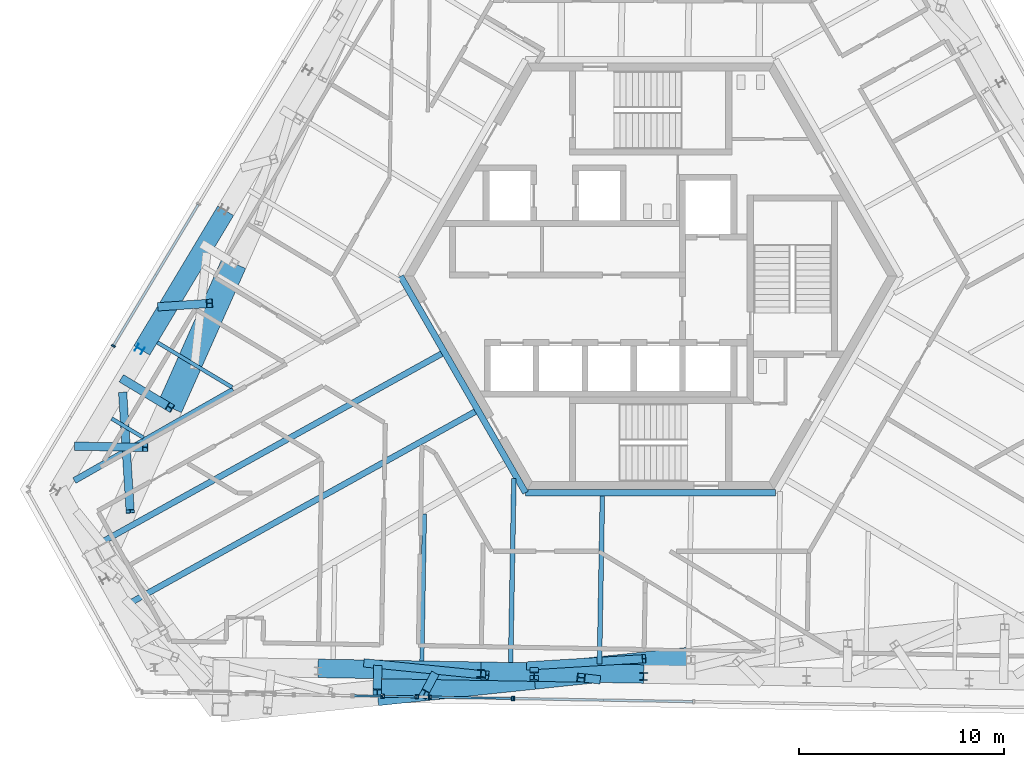
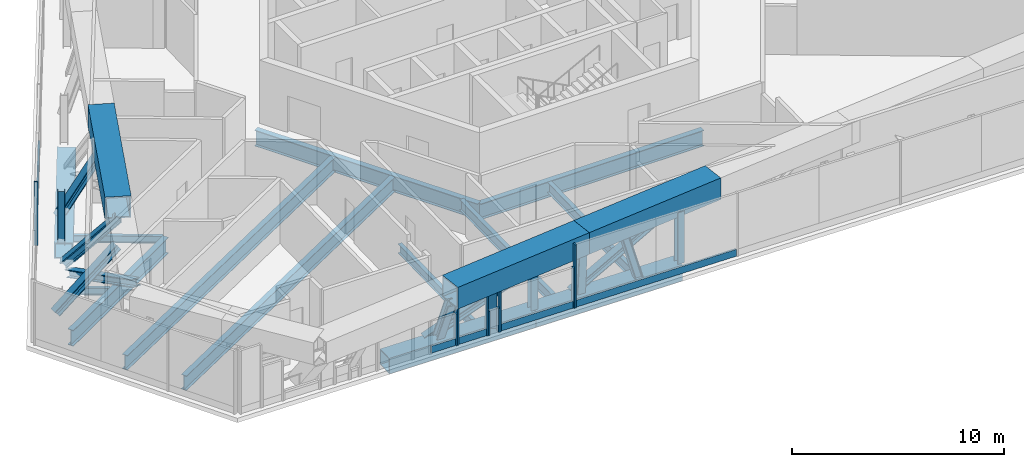
# One storey, part 2 of 28: 33 members, 10 beams, 6 elements without a shape of their own.
"""IFC4 building model written with IfcOpenShell, lengths in metres."""

from ifc_helpers import new_model, si_unit, direction, frame, origin, origin_2d, place, context, subcontext, project, spatial, rectangle, hollow_rectangle, i_section, extrude, source, transform, mapped, material, material_profile, profile_set, type_object, element, aggregate, save


model = new_model("IFC4")

# Units and contexts
model_context = context("Model", 3, precision=1e-05, world=origin(), true_north=direction((0.0, 1.0)))
body_context = subcontext(model_context, "Body", "Model", "MODEL_VIEW")
ifc_project = project(units=[si_unit("LENGTHUNIT", "METRE"), si_unit("AREAUNIT", "SQUARE_METRE"), si_unit("VOLUMEUNIT", "CUBIC_METRE"), si_unit("PLANEANGLEUNIT", "RADIAN"), si_unit("MASSUNIT", "GRAM", prefix="KILO")], contexts=[model_context])

# Site, building, storey
site_placement = place(None, origin())
site = spatial("IfcSite", under=ifc_project, at=site_placement, CompositionType="ELEMENT")
building_placement = place(site_placement, origin())
building = spatial("IfcBuilding", under=site, at=building_placement, Name="Triune Harvest Tower", CompositionType="ELEMENT")
storey_placement = place(building_placement, frame((0.0, 0.0, 215.89990234375)))
storey = spatial("IfcBuildingStorey", under=building, at=storey_placement, Name="L56", CompositionType="ELEMENT", Elevation=215.89990234375)

# Beam
ifc_material_1 = material(Name="Steel ASTM A992 Gr 50", Category="steel")
ifc_material_profile_1 = material_profile(ifc_material_1, i_section(OverallWidth=0.307373046875, OverallDepth=0.922119140625, WebThickness=0.018310546875, FlangeThickness=0.030029296875, at=origin_2d()), Name="W36x182")
ifc_profile_set_1 = profile_set([ifc_material_profile_1], Name="Steel ASTM A992 Gr 50")
beam_type_1 = type_object("IfcBeamType", Name="HG-2 Hip girder W36x182", PredefinedType="BEAM", material=ifc_profile_set_1)
beam_1_placement = place(storey_placement, frame((-28.05859375, -9.95263671875, -0.7109375), z_axis=(0.869271874388, 0.494334308336, 0.0), x_axis=(-0.494334308336, 0.869271874388, 0.0)))
element("IfcBeam", 1, at=beam_1_placement, inside=storey, type_object=beam_type_1, Name="beam/L56/HG5", PredefinedType="BEAM", context=body_context, shape_type="SweptSolid", body=[
    extrude(i_section(OverallWidth=0.307373046875, OverallDepth=0.922119140625, WebThickness=0.018310546875, FlangeThickness=0.030029296875, at=origin_2d()), origin(), (0.0, 0.0, 1.0), 8.906982421875),
])

# Members
ifc_material_2 = material(Name="Steel ASTM A992 Gr 50", Category="steel")
ifc_material_profile_2 = material_profile(ifc_material_2, i_section(OverallWidth=0.40380859375, OverallDepth=0.406494140625, WebThickness=0.027099609375, FlangeThickness=0.043701171875, at=origin_2d()), Name="W14x233")
ifc_profile_set_2 = profile_set([ifc_material_profile_2], Name="Steel ASTM A992 Gr 50")
member_type_1 = type_object("IfcMemberType", Name="TD-3 Belt truss diagonal W14x233", PredefinedType="BRACE", material=ifc_profile_set_2)
member_1_placement = place(storey_placement, frame((-23.84375, -1.481689453125, -0.324951171875), z_axis=(0.650996051153, 0.043462530906, 0.757835833008), x_axis=(-0.066614828692, 0.997778765358, 0.0)))
element("IfcMember", 2, at=member_1_placement, inside=storey, type_object=member_type_1, Name="truss/L56/TD26", PredefinedType="BRACE", context=body_context, shape_type="SweptSolid", body=[
    extrude(i_section(OverallWidth=0.40380859375, OverallDepth=0.406494140625, WebThickness=0.027099609375, FlangeThickness=0.043701171875, at=origin_2d()), origin(), (0.0, 0.0, 1.0), 3.628662109375),
])
member_2_placement = place(storey_placement, frame((-2.64697265625, -19.631591796875, -0.324951171875), z_axis=(-0.259889258637, 0.029733456231, 0.965180550377), x_axis=(-0.113666690427, -0.993518939672, 0.0)))
element("IfcMember", 3, at=member_2_placement, inside=storey, type_object=member_type_1, Name="truss/L56/TD38", PredefinedType="BRACE", context=body_context, shape_type="SweptSolid", body=[
    extrude(i_section(OverallWidth=0.40380859375, OverallDepth=0.406494140625, WebThickness=0.027099609375, FlangeThickness=0.043701171875, at=origin_2d()), origin(), (0.0, 0.0, 1.0), 2.84912109375),
])

# Curtain wall, member
ifc_material_3 = material(Name="Aluminium bronze anodised", Category="aluminium")
curtain_wall_type = type_object("IfcCurtainWallType", Name="CW-5 Plant louvre wall", PredefinedType="NOTDEFINED", material=ifc_material_3)
curtain_wall_1_placement = place(storey_placement, origin())
curtain_wall_1 = element("IfcCurtainWall", 4, at=curtain_wall_1_placement, inside=storey, type_object=curtain_wall_type, Name="CW-5 B5-F5 L56 run 901")
ifc_material_4 = material(Name="Aluminium bronze anodised", Category="aluminium")
ifc_material_profile_3 = material_profile(ifc_material_4, rectangle(XDim=0.10009765625, YDim=0.39990234375, at=origin_2d()), Name="TR-5 transom 100 x 400")
ifc_profile_set_3 = profile_set([ifc_material_profile_3], Name="Aluminium bronze anodised")
member_type_2 = type_object("IfcMemberType", Name="TR-5 transom 100 x 400", PredefinedType="USERDEFINED", material=ifc_profile_set_3)
member_3_placement = place(storey_placement, frame((-14.436767578125, -20.42822265625, 0.2001953125), z_axis=(0.999846371425, -0.017528078872, 0.0), x_axis=(0.017528078872, 0.999846371425, 0.0)))
member_3 = element("IfcMember", 5, at=member_3_placement, type_object=member_type_2, Name="CW-5 transom B5-F5 901.1", ObjectType="TRANSOM", PredefinedType="USERDEFINED", context=body_context, shape_type="SweptSolid", body=[
    extrude(rectangle(XDim=0.10009765625, YDim=0.39990234375, at=origin_2d()), origin(), (0.0, 0.0, 1.0), 1.309326171875),
])

curtain_wall_2_placement = place(storey_placement, origin())
curtain_wall_2 = element("IfcCurtainWall", 6, at=curtain_wall_2_placement, inside=storey, type_object=curtain_wall_type, Name="CW-5 B5-F5 L56 run 1201")
member_4_placement = place(storey_placement, frame((-10.673095703125, -20.493896484375, 0.2001953125), z_axis=(0.999847296182, -0.01747524874, 0.0), x_axis=(0.01747524874, 0.999847296182, 0.0)))
member_4 = element("IfcMember", 7, at=member_4_placement, type_object=member_type_2, Name="CW-5 transom B5-F5 1201.1", ObjectType="TRANSOM", PredefinedType="USERDEFINED", context=body_context, shape_type="SweptSolid", body=[
    extrude(rectangle(XDim=0.10009765625, YDim=0.39990234375, at=origin_2d()), origin(), (0.0, 0.0, 1.0), 3.897705078125),
])

curtain_wall_3_placement = place(storey_placement, origin())
curtain_wall_3 = element("IfcCurtainWall", 8, at=curtain_wall_3_placement, inside=storey, type_object=curtain_wall_type, Name="CW-5 B5-F5 L56 run 1301")
member_5_placement = place(storey_placement, frame((-6.615966796875, -20.564697265625, 0.2001953125), z_axis=(0.999847731364, -0.017450331985, 0.0), x_axis=(0.017450331985, 0.999847731364, 0.0)))
member_5 = element("IfcMember", 9, at=member_5_placement, type_object=member_type_2, Name="CW-5 transom B5-F5 1301.1", ObjectType="TRANSOM", PredefinedType="USERDEFINED", context=body_context, shape_type="SweptSolid", body=[
    extrude(rectangle(XDim=0.10009765625, YDim=0.39990234375, at=origin_2d()), origin(), (0.0, 0.0, 1.0), 8.674072265625),
])

# Beams
ifc_material_5 = material(Name="Steel ASTM A992 Gr 50", Category="steel")
ifc_material_profile_4 = material_profile(ifc_material_5, i_section(OverallWidth=0.3046875, OverallDepth=0.914306640625, WebThickness=0.0166015625, FlangeThickness=0.02587890625, at=origin_2d()), Name="W36x160")
ifc_profile_set_4 = profile_set([ifc_material_profile_4], Name="Steel ASTM A992 Gr 50")
beam_type_2 = type_object("IfcBeamType", Name="CG-1 Core ring girder W36x160", PredefinedType="BEAM", material=ifc_profile_set_4)
shared_shape_1 = source(origin(), body_context, "Body", "SweptSolid", [
    extrude(i_section(OverallWidth=0.3046875, OverallDepth=0.914306640625, WebThickness=0.0166015625, FlangeThickness=0.02587890625, at=origin_2d()), origin(), (0.0, 0.0, 1.0), 12.176025390625),
])
beam_2_placement = place(storey_placement, frame((-12.176025390625, 0.0, -0.70703125), z_axis=(0.5000099932, -0.866019634131, 0.0), x_axis=(0.866019634131, 0.5000099932, 0.0)))
element("IfcBeam", 10, at=beam_2_placement, inside=storey, type_object=beam_type_2, Name="beam/L56/CG4", PredefinedType="BEAM", context=body_context, shape_type="MappedRepresentation", body=[
    mapped(shared_shape_1, transform((0.0, 0.0, 0.0), scale=1.0)),
])
shared_shape_2 = source(origin(), body_context, "Body", "SweptSolid", [
    extrude(i_section(OverallWidth=0.3046875, OverallDepth=0.914306640625, WebThickness=0.0166015625, FlangeThickness=0.02587890625, at=origin_2d()), origin(), (0.0, 0.0, 1.0), 12.17578125),
])
beam_3_placement = place(storey_placement, frame((-6.087890625, -10.544677734375, -0.70703125), z_axis=(1.0, 0.0, 0.0), x_axis=(0.0, 1.0, 0.0)))
element("IfcBeam", 11, at=beam_3_placement, inside=storey, type_object=beam_type_2, Name="beam/L56/CG5", PredefinedType="BEAM", context=body_context, shape_type="MappedRepresentation", body=[
    mapped(shared_shape_2, transform((0.0, 0.0, 0.0), scale=1.0)),
])
ifc_material_6 = material(Name="Steel ASTM A992 Gr 50", Category="steel")
ifc_material_profile_5 = material_profile(ifc_material_6, i_section(OverallWidth=0.2099609375, OverallDepth=0.535888671875, WebThickness=0.010986328125, FlangeThickness=0.017333984375, at=origin_2d()), Name="W21x68")
ifc_profile_set_5 = profile_set([ifc_material_profile_5], Name="Steel ASTM A992 Gr 50")
beam_type_3 = type_object("IfcBeamType", Name="JT-2 Floor joist W21x68", PredefinedType="JOIST", material=ifc_profile_set_5)
shared_shape_3 = source(origin(), body_context, "Body", "SweptSolid", [
    extrude(i_section(OverallWidth=0.2099609375, OverallDepth=0.535888671875, WebThickness=0.010986328125, FlangeThickness=0.017333984375, at=origin_2d()), origin(), (0.0, 0.0, 1.0), 7.1650390625),
])
beam_4_placement = place(storey_placement, frame((-11.138427734375, -18.7333984375, -0.517822265625), z_axis=(0.017445545298, 0.999847814894, 0.0), x_axis=(-0.999847814894, 0.017445545298, 0.0)))
element("IfcBeam", 12, at=beam_4_placement, inside=storey, type_object=beam_type_3, Name="beam/L56/JT27", PredefinedType="JOIST", context=body_context, shape_type="MappedRepresentation", body=[
    mapped(shared_shape_3, transform((0.0, 0.0, 0.0), scale=1.0)),
])
ifc_material_7 = material(Name="Steel ASTM A992 Gr 50", Category="steel")
ifc_material_profile_6 = material_profile(ifc_material_7, i_section(OverallWidth=0.22900390625, OverallDepth=0.612060546875, WebThickness=0.011962890625, FlangeThickness=0.01953125, at=origin_2d()), Name="W24x84")
ifc_profile_set_6 = profile_set([ifc_material_profile_6], Name="Steel ASTM A992 Gr 50")
beam_type_4 = type_object("IfcBeamType", Name="JT-3 Floor joist W24x84", PredefinedType="JOIST", material=ifc_profile_set_6)
shared_shape_4 = source(origin(), body_context, "Body", "SweptSolid", [
    extrude(i_section(OverallWidth=0.22900390625, OverallDepth=0.612060546875, WebThickness=0.011962890625, FlangeThickness=0.01953125, at=origin_2d()), origin(), (0.0, 0.0, 1.0), 8.94970703125),
])
beam_5_placement = place(storey_placement, frame((-6.815185546875, -18.808837890625, -0.555908203125), z_axis=(0.017458868621, 0.999847582338, 0.0), x_axis=(-0.999847582338, 0.017458868621, 0.0)))
element("IfcBeam", 13, at=beam_5_placement, inside=storey, type_object=beam_type_4, Name="beam/L56/JT28", PredefinedType="JOIST", context=body_context, shape_type="MappedRepresentation", body=[
    mapped(shared_shape_4, transform((0.0, 0.0, 0.0), scale=1.0)),
])
shared_shape_5 = source(origin(), body_context, "Body", "SweptSolid", [
    extrude(i_section(OverallWidth=0.22900390625, OverallDepth=0.612060546875, WebThickness=0.011962890625, FlangeThickness=0.01953125, at=origin_2d()), origin(), (0.0, 0.0, 1.0), 8.1884765625),
])
beam_6_placement = place(storey_placement, frame((-2.491943359375, -18.88427734375, -0.555908203125), z_axis=(0.017441807361, 0.999847880108, 0.0), x_axis=(-0.999847880108, 0.017441807361, 0.0)))
element("IfcBeam", 14, at=beam_6_placement, inside=storey, type_object=beam_type_4, Name="beam/L56/JT29", PredefinedType="JOIST", context=body_context, shape_type="MappedRepresentation", body=[
    mapped(shared_shape_5, transform((0.0, 0.0, 0.0), scale=1.0)),
])
ifc_material_8 = material(Name="Steel ASTM A992 Gr 50", Category="steel")
ifc_material_profile_7 = material_profile(ifc_material_8, i_section(OverallWidth=0.180908203125, OverallDepth=0.41650390625, WebThickness=0.010986328125, FlangeThickness=0.01806640625, at=origin_2d()), Name="W16x57")
ifc_profile_set_7 = profile_set([ifc_material_profile_7], Name="Steel ASTM A992 Gr 50")
beam_type_5 = type_object("IfcBeamType", Name="JT-1 Floor joist W16x57", PredefinedType="JOIST", material=ifc_profile_set_7)
shared_shape_6 = source(origin(), body_context, "Body", "SweptSolid", [
    extrude(i_section(OverallWidth=0.180908203125, OverallDepth=0.41650390625, WebThickness=0.010986328125, FlangeThickness=0.01806640625, at=origin_2d()), origin(), (0.0, 0.0, 1.0), 1.807373046875),
])
beam_7_placement = place(storey_placement, frame((-26.243408203125, -6.931396484375, -0.458251953125), z_axis=(0.857170967294, -0.515031972627, 0.0), x_axis=(0.515031972627, 0.857170967294, 0.0)))
element("IfcBeam", 15, at=beam_7_placement, inside=storey, type_object=beam_type_5, Name="beam/L56/JT22", PredefinedType="JOIST", context=body_context, shape_type="MappedRepresentation", body=[
    mapped(shared_shape_6, transform((0.0, 0.0, 0.0), scale=1.0)),
])
ifc_material_9 = material(Name="Steel ASTM A992 Gr 50", Category="steel")
ifc_material_profile_8 = material_profile(ifc_material_9, i_section(OverallWidth=0.2919921875, OverallDepth=0.8408203125, WebThickness=0.0146484375, FlangeThickness=0.021728515625, at=origin_2d()), Name="W33x130")
ifc_profile_set_8 = profile_set([ifc_material_profile_8], Name="Steel ASTM A992 Gr 50")
beam_type_6 = type_object("IfcBeamType", Name="JT-6 Floor joist W33x130", PredefinedType="JOIST", material=ifc_profile_set_8)
shared_shape_7 = source(origin(), body_context, "Body", "SweptSolid", [
    extrude(i_section(OverallWidth=0.2919921875, OverallDepth=0.8408203125, WebThickness=0.0146484375, FlangeThickness=0.021728515625, at=origin_2d()), origin(), (0.0, 0.0, 1.0), 19.10595703125),
])
beam_8_placement = place(storey_placement, frame((-26.882568359375, -13.0380859375, -0.67041015625), z_axis=(0.87462099309, 0.484807300322, 0.0), x_axis=(-0.484807300322, 0.87462099309, 0.0)))
element("IfcBeam", 16, at=beam_8_placement, inside=storey, type_object=beam_type_6, Name="beam/L56/JT23", PredefinedType="JOIST", context=body_context, shape_type="MappedRepresentation", body=[
    mapped(shared_shape_7, transform((0.0, 0.0, 0.0), scale=1.0)),
])
shared_shape_8 = source(origin(), body_context, "Body", "SweptSolid", [
    extrude(i_section(OverallWidth=0.180908203125, OverallDepth=0.41650390625, WebThickness=0.010986328125, FlangeThickness=0.01806640625, at=origin_2d()), origin(), (0.0, 0.0, 1.0), 4.241455078125),
])
beam_9_placement = place(storey_placement, frame((-24.016357421875, -3.22509765625, -0.458251953125), z_axis=(0.857152446461, -0.515062795711, 0.0), x_axis=(0.515062795711, 0.857152446461, 0.0)))
element("IfcBeam", 17, at=beam_9_placement, inside=storey, type_object=beam_type_5, Name="beam/L56/JT21", PredefinedType="JOIST", context=body_context, shape_type="MappedRepresentation", body=[
    mapped(shared_shape_8, transform((0.0, 0.0, 0.0), scale=1.0)),
])
shared_shape_9 = source(origin(), body_context, "Body", "SweptSolid", [
    extrude(i_section(OverallWidth=0.2919921875, OverallDepth=0.8408203125, WebThickness=0.0146484375, FlangeThickness=0.021728515625, at=origin_2d()), origin(), (0.0, 0.0, 1.0), 19.16259765625),
])
beam_10_placement = place(storey_placement, frame((-25.302490234375, -15.888427734375, -0.67041015625), z_axis=(0.874618421796, 0.484811939061, 0.0), x_axis=(-0.484811939061, 0.874618421796, 0.0)))
element("IfcBeam", 18, at=beam_10_placement, inside=storey, type_object=beam_type_6, Name="beam/L56/JT24", PredefinedType="JOIST", context=body_context, shape_type="MappedRepresentation", body=[
    mapped(shared_shape_9, transform((0.0, 0.0, 0.0), scale=1.0)),
])

# Members
ifc_material_10 = material(Name="Steel ASTM A992 Gr 50", Category="steel")
ifc_material_profile_9 = material_profile(ifc_material_10, i_section(OverallWidth=0.370849609375, OverallDepth=0.36328125, WebThickness=0.013427734375, FlangeThickness=0.021728515625, at=origin_2d()), Name="W14x109")
ifc_profile_set_9 = profile_set([ifc_material_profile_9], Name="Steel ASTM A992 Gr 50")
member_type_3 = type_object("IfcMemberType", Name="WP-5 Roof edge post W14x109", PredefinedType="POST", material=ifc_profile_set_9)
shared_shape_10 = source(origin(), body_context, "Body", "SweptSolid", [
    extrude(i_section(OverallWidth=0.370849609375, OverallDepth=0.36328125, WebThickness=0.013427734375, FlangeThickness=0.021728515625, at=origin_2d()), origin(), (0.0, 0.0, 1.0), 2.9755859375),
])
for number, where, z_axis, x_axis, name in (
    (19, (-24.876220703125, -3.54931640625, -0.25), (0.0, 0.0, 1.0), (-0.51503657887, -0.857168199612, 0.0), "post/L56/W13"),
    (20, (-8.266357421875, -19.353515625, -0.25), (0.0, 0.0, 1.0), (0.999847695156, -0.017452406437, 0.0), "post/L56/W18"),
    (21, (-0.34033203125, -19.491943359375, -0.25), (0.0, 0.0, 1.0), (0.999847695156, -0.017452406437, 0.0), "post/L56/W19"),
):
    element("IfcMember", number, at=place(storey_placement, frame(where, z_axis=z_axis, x_axis=x_axis)), inside=storey, type_object=member_type_3, Name=name, PredefinedType="POST", context=body_context, shape_type="MappedRepresentation", body=[
        mapped(shared_shape_10, transform((0.0, 0.0, 0.0), scale=1.0)),
    ])
ifc_material_11 = material(Name="Steel ASTM A572 Gr 50", Category="steel")
ifc_material_profile_10 = material_profile(ifc_material_11, hollow_rectangle(XDim=0.89990234375, YDim=0.89990234375, WallThickness=0.050048828125, at=origin_2d()), Name="Box 900x900x50")
ifc_profile_set_10 = profile_set([ifc_material_profile_10], Name="Steel ASTM A572 Gr 50")
member_type_4 = type_object("IfcMemberType", Name="TC-2 Belt truss chord Box 900x900x50", PredefinedType="CHORD", material=ifc_profile_set_10)
shared_shape_11 = source(origin(), body_context, "Body", "SweptSolid", [
    extrude(hollow_rectangle(XDim=0.89990234375, YDim=0.89990234375, WallThickness=0.050048828125, at=origin_2d()), origin(), (0.0, 0.0, 1.0), 7.92724609375),
])
for number, where, z_axis, x_axis, name in (
    (22, (-20.6904296875, 3.183837890625, -0.699951171875), (-0.515034618449, -0.857169377544, 0.0), (0.857169377544, -0.515034618449, 0.0), "truss/L56/TCB13"),
    (23, (-16.190185546875, -19.09521484375, -0.699951171875), (0.999847522428, -0.017462299252, 0.0), (0.017462299252, 0.999847522428, 0.0), "truss/L56/TCB18"),
    (24, (-8.26416015625, -19.233642578125, -0.699951171875), (0.999847522428, -0.017462299252, 0.0), (0.017462299252, 0.999847522428, 0.0), "truss/L56/TCB19"),
):
    element("IfcMember", number, at=place(storey_placement, frame(where, z_axis=z_axis, x_axis=x_axis)), inside=storey, type_object=member_type_4, Name=name, PredefinedType="CHORD", context=body_context, shape_type="MappedRepresentation", body=[
        mapped(shared_shape_11, transform((0.0, 0.0, 0.0), scale=1.0)),
    ])
ifc_material_12 = material(Name="Steel ASTM A572 Gr 50", Category="steel")
ifc_material_profile_11 = material_profile(ifc_material_12, hollow_rectangle(XDim=1.25, YDim=1.25, WallThickness=0.070068359375, at=origin_2d()), Name="Box 1250x1250x70")
ifc_profile_set_11 = profile_set([ifc_material_profile_11], Name="Steel ASTM A572 Gr 50")
member_type_5 = type_object("IfcMemberType", Name="TC-1 Belt truss chord Box 1250x1250x70", PredefinedType="CHORD", material=ifc_profile_set_11)
shared_shape_12 = source(origin(), body_context, "Body", "SweptSolid", [
    extrude(hollow_rectangle(XDim=1.25, YDim=1.25, WallThickness=0.070068359375, at=origin_2d()), origin(), (0.0, 0.0, 1.0), 7.679443359375),
])
for number, where, z_axis, x_axis, name in (
    (25, (-20.287109375, 0.626220703125, 3.01513671875), (-0.406734215399, -0.91354653851, 0.0), (0.91354653851, -0.406734215399, 0.0), "truss/L56/TCT13"),
    (26, (-5.673583984375, -19.48779296875, 3.01513671875), (0.994521815363, 0.104529224464, 0.0), (-0.104529224464, 0.994521815363, 0.0), "truss/L56/TCT19"),
):
    element("IfcMember", number, at=place(storey_placement, frame(where, z_axis=z_axis, x_axis=x_axis)), inside=storey, type_object=member_type_5, Name=name, PredefinedType="CHORD", context=body_context, shape_type="MappedRepresentation", body=[
        mapped(shared_shape_12, transform((0.0, 0.0, 0.0), scale=1.0)),
    ])
shared_shape_13 = source(origin(), body_context, "Body", "SweptSolid", [
    extrude(hollow_rectangle(XDim=1.25, YDim=1.25, WallThickness=0.070068359375, at=origin_2d()), origin(), (0.0, 0.0, 1.0), 7.67919921875),
])
member_6_placement = place(storey_placement, frame((-13.310791015625, -20.29052734375, 3.01513671875), z_axis=(0.994521467985, 0.104532529465, 0.0), x_axis=(-0.104532529465, 0.994521467985, 0.0)))
element("IfcMember", 27, at=member_6_placement, inside=storey, type_object=member_type_5, Name="truss/L56/TCT18", PredefinedType="CHORD", context=body_context, shape_type="MappedRepresentation", body=[
    mapped(shared_shape_13, transform((0.0, 0.0, 0.0), scale=1.0)),
])
ifc_material_13 = material(Name="Steel ASTM A992 Gr 50", Category="steel")
ifc_material_profile_12 = material_profile(ifc_material_13, i_section(OverallWidth=0.411376953125, OverallDepth=0.434326171875, WebThickness=0.035888671875, FlangeThickness=0.057373046875, at=origin_2d()), Name="W14x311")
ifc_profile_set_12 = profile_set([ifc_material_profile_12], Name="Steel ASTM A992 Gr 50")
member_type_6 = type_object("IfcMemberType", Name="TV-1 Belt truss strut W14x311", PredefinedType="STRUT", material=ifc_profile_set_12)
shared_shape_14 = source(origin(), body_context, "Body", "SweptSolid", [
    extrude(i_section(OverallWidth=0.411376953125, OverallDepth=0.434326171875, WebThickness=0.035888671875, FlangeThickness=0.057373046875, at=origin_2d()), origin(), (0.0, 0.0, 1.0), 2.9326171875),
])
member_7_placement = place(storey_placement, frame((-13.290771484375, -19.14599609375, -0.27490234375), z_axis=(-0.006826568214, -0.390279899854, 0.920670949762), x_axis=(0.999847059374, -0.017488792421, 0.0)))
element("IfcMember", 28, at=member_7_placement, inside=storey, type_object=member_type_6, Name="truss/L56/TS18", PredefinedType="STRUT", context=body_context, shape_type="MappedRepresentation", body=[
    mapped(shared_shape_14, transform((0.0, 0.0, 0.0), scale=1.0)),
])
shared_shape_15 = source(origin(), body_context, "Body", "SweptSolid", [
    extrude(i_section(OverallWidth=0.411376953125, OverallDepth=0.434326171875, WebThickness=0.035888671875, FlangeThickness=0.057373046875, at=origin_2d()), origin(), (0.0, 0.0, 1.0), 2.7080078125),
])
member_8_placement = place(storey_placement, frame((-5.669921875, -19.27880859375, -0.27490234375), z_axis=(-0.00135231513, -0.07717211676, 0.997016868282), x_axis=(0.999846501199, -0.017520674671, 0.0)))
element("IfcMember", 29, at=member_8_placement, inside=storey, type_object=member_type_6, Name="truss/L56/TS19", PredefinedType="STRUT", context=body_context, shape_type="MappedRepresentation", body=[
    mapped(shared_shape_15, transform((0.0, 0.0, 0.0), scale=1.0)),
])
shared_shape_16 = source(origin(), body_context, "Body", "SweptSolid", [
    extrude(i_section(OverallWidth=0.411376953125, OverallDepth=0.434326171875, WebThickness=0.035888671875, FlangeThickness=0.057373046875, at=origin_2d()), origin(), (0.0, 0.0, 1.0), 3.74755859375),
])
member_9_placement = place(storey_placement, frame((-25.63818359375, -5.05078125, -0.27490234375), z_axis=(0.594410454421, -0.357206545549, 0.720471856142), x_axis=(0.515089683535, 0.857136288997, 0.0)))
element("IfcMember", 30, at=member_9_placement, inside=storey, type_object=member_type_6, Name="truss/L56/TS14", PredefinedType="STRUT", context=body_context, shape_type="MappedRepresentation", body=[
    mapped(shared_shape_16, transform((0.0, 0.0, 0.0), scale=1.0)),
])
shared_shape_17 = source(origin(), body_context, "Body", "SweptSolid", [
    extrude(i_section(OverallWidth=0.40380859375, OverallDepth=0.406494140625, WebThickness=0.027099609375, FlangeThickness=0.043701171875, at=origin_2d()), origin(), (0.0, 0.0, 1.0), 6.556396484375),
])
member_10_placement = place(storey_placement, frame((-13.881591796875, -18.83544921875, -0.324951171875), z_axis=(0.903262234042, -0.090486343271, 0.41943957638), x_axis=(0.099678356666, 0.995019710967, 0.0)))
element("IfcMember", 31, at=member_10_placement, inside=storey, type_object=member_type_1, Name="truss/L56/TD35", PredefinedType="BRACE", context=body_context, shape_type="MappedRepresentation", body=[
    mapped(shared_shape_17, transform((0.0, 0.0, 0.0), scale=1.0)),
])
shared_shape_18 = source(origin(), body_context, "Body", "SweptSolid", [
    extrude(i_section(OverallWidth=0.40380859375, OverallDepth=0.406494140625, WebThickness=0.027099609375, FlangeThickness=0.043701171875, at=origin_2d()), origin(), (0.0, 0.0, 1.0), 2.91552734375),
])
member_11_placement = place(storey_placement, frame((-10.572998046875, -19.493408203125, -0.324951171875), z_axis=(-0.155003737433, -0.293678069787, 0.943253429736), x_axis=(0.884376078012, -0.466775055717, 0.0)))
element("IfcMember", 32, at=member_11_placement, inside=storey, type_object=member_type_1, Name="truss/L56/TD36", PredefinedType="BRACE", context=body_context, shape_type="MappedRepresentation", body=[
    mapped(shared_shape_18, transform((0.0, 0.0, 0.0), scale=1.0)),
])
shared_shape_19 = source(origin(), body_context, "Body", "SweptSolid", [
    extrude(i_section(OverallWidth=0.40380859375, OverallDepth=0.406494140625, WebThickness=0.027099609375, FlangeThickness=0.043701171875, at=origin_2d()), origin(), (0.0, 0.0, 1.0), 6.351806640625),
])
member_12_placement = place(storey_placement, frame((-25.70263671875, -5.740478515625, -0.324951171875), z_axis=(0.057078373943, -0.899608984606, 0.432950036428), x_axis=(0.997993233711, 0.063320655931, 0.0)))
element("IfcMember", 33, at=member_12_placement, inside=storey, type_object=member_type_1, Name="truss/L56/TD27", PredefinedType="BRACE", context=body_context, shape_type="MappedRepresentation", body=[
    mapped(shared_shape_19, transform((0.0, 0.0, 0.0), scale=1.0)),
])
shared_shape_20 = source(origin(), body_context, "Body", "SweptSolid", [
    extrude(i_section(OverallWidth=0.40380859375, OverallDepth=0.406494140625, WebThickness=0.027099609375, FlangeThickness=0.043701171875, at=origin_2d()), origin(), (0.0, 0.0, 1.0), 4.312744140625),
])
member_13_placement = place(storey_placement, frame((-27.926513671875, -8.27685546875, -0.324951171875), z_axis=(0.770183000357, -0.014492234332, 0.637658310622), x_axis=(0.018813281274, 0.999823014562, 0.0)))
element("IfcMember", 34, at=member_13_placement, inside=storey, type_object=member_type_1, Name="truss/L56/TD28", PredefinedType="BRACE", context=body_context, shape_type="MappedRepresentation", body=[
    mapped(shared_shape_20, transform((0.0, 0.0, 0.0), scale=1.0)),
])
shared_shape_21 = source(origin(), body_context, "Body", "SweptSolid", [
    extrude(i_section(OverallWidth=0.40380859375, OverallDepth=0.406494140625, WebThickness=0.027099609375, FlangeThickness=0.043701171875, at=origin_2d()), origin(), (0.0, 0.0, 1.0), 6.278564453125),
])
member_14_placement = place(storey_placement, frame((-5.95556640625, -18.973876953125, -0.324951171875), z_axis=(0.897266496661, 0.055410823737, 0.437998258652), x_axis=(-0.061637724273, 0.998098587789, 0.0)))
element("IfcMember", 35, at=member_14_placement, inside=storey, type_object=member_type_1, Name="truss/L56/TD37", PredefinedType="BRACE", context=body_context, shape_type="MappedRepresentation", body=[
    mapped(shared_shape_21, transform((0.0, 0.0, 0.0), scale=1.0)),
])

# Curtain wall, member
curtain_wall_4_placement = place(storey_placement, origin())
curtain_wall_4 = element("IfcCurtainWall", 36, at=curtain_wall_4_placement, inside=storey, type_object=curtain_wall_type, Name="CW-5 B5-F3 L56 run 1201")
ifc_material_14 = material(Name="Aluminium bronze anodised", Category="aluminium")
ifc_material_profile_13 = material_profile(ifc_material_14, rectangle(XDim=0.199951171875, YDim=0.080078125, at=origin_2d()), Name="MU-5 mullion 80 x 200")
ifc_profile_set_13 = profile_set([ifc_material_profile_13], Name="Aluminium bronze anodised")
member_type_7 = type_object("IfcMemberType", Name="MU-5 mullion 80 x 200", PredefinedType="MULLION", material=ifc_profile_set_13)
shared_shape_22 = source(origin(), body_context, "Body", "SweptSolid", [
    extrude(rectangle(XDim=0.199951171875, YDim=0.080078125, at=origin_2d()), origin(), (0.0, 0.0, 1.0), 3.64013671875),
])
member_15_placement = place(storey_placement, frame((-26.1611328125, -3.392822265625, 0.0), z_axis=(0.0, 0.0, 1.0), x_axis=(0.857169585878, -0.515034271719, 0.0)))
member_15 = element("IfcMember", 37, at=member_15_placement, type_object=member_type_7, Name="CW-5 mullion B5-F3 1201.7", PredefinedType="MULLION", context=body_context, shape_type="MappedRepresentation", body=[
    mapped(shared_shape_22, transform((0.0, 0.0, 0.0), scale=1.0)),
])

# Member
member_16_placement = place(storey_placement, frame((-6.656005859375, -20.564208984375, 0.0), z_axis=(0.0, 0.0, 1.0), x_axis=(0.017449877038, 0.999847739304, 0.0)))
member_16 = element("IfcMember", 38, at=member_16_placement, type_object=member_type_7, Name="CW-5 mullion B5-F5 1301.1", PredefinedType="MULLION", context=body_context, shape_type="MappedRepresentation", body=[
    mapped(shared_shape_22, transform((0.0, 0.0, 0.0), scale=1.0)),
])

aggregate(curtain_wall_3, [member_16, member_5])

# Curtain wall, members
curtain_wall_5_placement = place(storey_placement, origin())
curtain_wall_5 = element("IfcCurtainWall", 39, at=curtain_wall_5_placement, inside=storey, type_object=curtain_wall_type, Name="CW-5 B5-F5 L56 run 1001")
shared_shape_23 = source(origin(), body_context, "Body", "SweptSolid", [
    extrude(rectangle(XDim=0.199951171875, YDim=0.080078125, at=origin_2d()), origin(), (0.0, 0.0, 1.0), 2.330078125),
])
member_17_placement = place(storey_placement, frame((-13.0078125, -20.453125, 0.0), z_axis=(0.0, 0.0, 1.0), x_axis=(0.017466419016, 0.999847450468, 0.0)))
member_17 = element("IfcMember", 40, at=member_17_placement, type_object=member_type_7, Name="CW-5 mullion B5-F5 1001.1", PredefinedType="MULLION", context=body_context, shape_type="MappedRepresentation", body=[
    mapped(shared_shape_23, transform((0.0, 0.0, 0.0), scale=1.0)),
])
member_18_placement = place(storey_placement, frame((-11.421875, -20.48095703125, 0.0), z_axis=(0.0, 0.0, 1.0), x_axis=(0.017466419016, 0.999847450468, 0.0)))
member_18 = element("IfcMember", 41, at=member_18_placement, type_object=member_type_7, Name="CW-5 mullion B5-F5 1001.2", PredefinedType="MULLION", context=body_context, shape_type="MappedRepresentation", body=[
    mapped(shared_shape_23, transform((0.0, 0.0, 0.0), scale=1.0)),
])

# Member
member_19_placement = place(storey_placement, frame((-10.713134765625, -20.493408203125, 0.0), z_axis=(0.0, 0.0, 1.0), x_axis=(0.017448231984, 0.999847768013, 0.0)))
member_19 = element("IfcMember", 42, at=member_19_placement, type_object=member_type_7, Name="CW-5 mullion B5-F5 1201.1", PredefinedType="MULLION", context=body_context, shape_type="MappedRepresentation", body=[
    mapped(shared_shape_23, transform((0.0, 0.0, 0.0), scale=1.0)),
])

member_20_placement = place(storey_placement, frame((-6.736083984375, -20.562744140625, 0.0), z_axis=(0.0, 0.0, 1.0), x_axis=(0.017448231984, 0.999847768013, 0.0)))
member_20 = element("IfcMember", 43, at=member_20_placement, type_object=member_type_7, Name="CW-5 mullion B5-F5 1201.2", PredefinedType="MULLION", context=body_context, shape_type="MappedRepresentation", body=[
    mapped(shared_shape_23, transform((0.0, 0.0, 0.0), scale=1.0)),
])

aggregate(curtain_wall_2, [member_19, member_20, member_4])

# Curtain wall, members
curtain_wall_6_placement = place(storey_placement, origin())
curtain_wall_6 = element("IfcCurtainWall", 44, at=curtain_wall_6_placement, inside=storey, type_object=curtain_wall_type, Name="CW-5 B5-F5 L56 run 1101")
shared_shape_24 = source(origin(), body_context, "Body", "SweptSolid", [
    extrude(rectangle(XDim=0.199951171875, YDim=0.080078125, at=origin_2d()), origin(), (0.0, 0.0, 1.0), 1.377685546875),
])
member_21_placement = place(storey_placement, frame((-11.342041015625, -20.482177734375, 0.0), z_axis=(0.0, 0.0, 1.0), x_axis=(0.017488182181, 0.999847070048, 0.0)))
member_21 = element("IfcMember", 45, at=member_21_placement, type_object=member_type_7, Name="CW-5 mullion B5-F5 1101.1", PredefinedType="MULLION", context=body_context, shape_type="MappedRepresentation", body=[
    mapped(shared_shape_24, transform((0.0, 0.0, 0.0), scale=1.0)),
])
member_22_placement = place(storey_placement, frame((-10.793212890625, -20.491943359375, 0.0), z_axis=(0.0, 0.0, 1.0), x_axis=(0.017488182181, 0.999847070048, 0.0)))
member_22 = element("IfcMember", 46, at=member_22_placement, type_object=member_type_7, Name="CW-5 mullion B5-F5 1101.2", PredefinedType="MULLION", context=body_context, shape_type="MappedRepresentation", body=[
    mapped(shared_shape_24, transform((0.0, 0.0, 0.0), scale=1.0)),
])
aggregate(curtain_wall_6, [member_21, member_22])

# Member
shared_shape_25 = source(origin(), body_context, "Body", "SweptSolid", [
    extrude(rectangle(XDim=0.199951171875, YDim=0.080078125, at=origin_2d()), origin(), (0.0, 0.0, 1.0), 1.850341796875),
])
member_23_placement = place(storey_placement, frame((-13.087890625, -20.451904296875, 0.0), z_axis=(0.0, 0.0, 1.0), x_axis=(0.017425361211, 0.999848166867, 0.0)))
member_23 = element("IfcMember", 47, at=member_23_placement, type_object=member_type_7, Name="CW-5 mullion B5-F5 901.2", PredefinedType="MULLION", context=body_context, shape_type="MappedRepresentation", body=[
    mapped(shared_shape_25, transform((0.0, 0.0, 0.0), scale=1.0)),
])

aggregate(curtain_wall_1, [member_23, member_3])

shared_shape_26 = source(origin(), body_context, "Body", "SweptSolid", [
    extrude(rectangle(XDim=0.10009765625, YDim=0.39990234375, at=origin_2d()), origin(), (0.0, 0.0, 1.0), 1.506103515625),
])
member_24_placement = place(storey_placement, frame((-12.9677734375, -20.453857421875, 0.2001953125), z_axis=(0.999846739959, -0.017507044085, 0.0), x_axis=(0.017507044085, 0.999846739959, 0.0)))
member_24 = element("IfcMember", 48, at=member_24_placement, type_object=member_type_2, Name="CW-5 transom B5-F5 1001.1", ObjectType="TRANSOM", PredefinedType="USERDEFINED", context=body_context, shape_type="MappedRepresentation", body=[
    mapped(shared_shape_26, transform((0.0, 0.0, 0.0), scale=1.0)),
])

aggregate(curtain_wall_5, [member_17, member_18, member_24])

shared_shape_27 = source(origin(), body_context, "Body", "SweptSolid", [
    extrude(rectangle(XDim=0.10009765625, YDim=0.39990234375, at=origin_2d()), origin(), (0.0, 0.0, 1.0), 7.981201171875),
])
member_25_placement = place(storey_placement, frame((-22.02978515625, 3.482666015625, 0.2001953125), z_axis=(-0.515030966803, -0.857171571643, 0.0), x_axis=(0.857171571643, -0.515030966803, 0.0)))
member_25 = element("IfcMember", 49, at=member_25_placement, type_object=member_type_2, Name="CW-5 transom B5-F3 1201.3", ObjectType="TRANSOM", PredefinedType="USERDEFINED", context=body_context, shape_type="MappedRepresentation", body=[
    mapped(shared_shape_27, transform((0.0, 0.0, 0.0), scale=1.0)),
])

aggregate(curtain_wall_4, [member_15, member_25])

save(model, "model.ifc")
